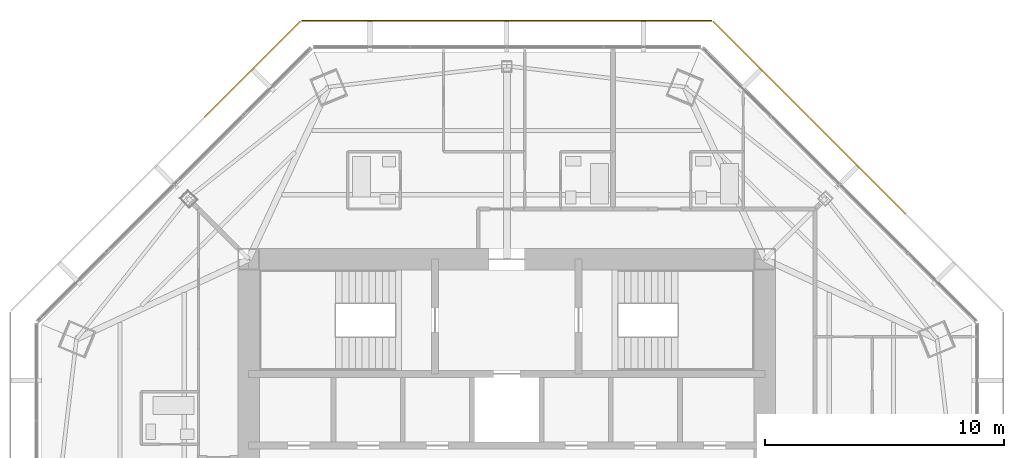
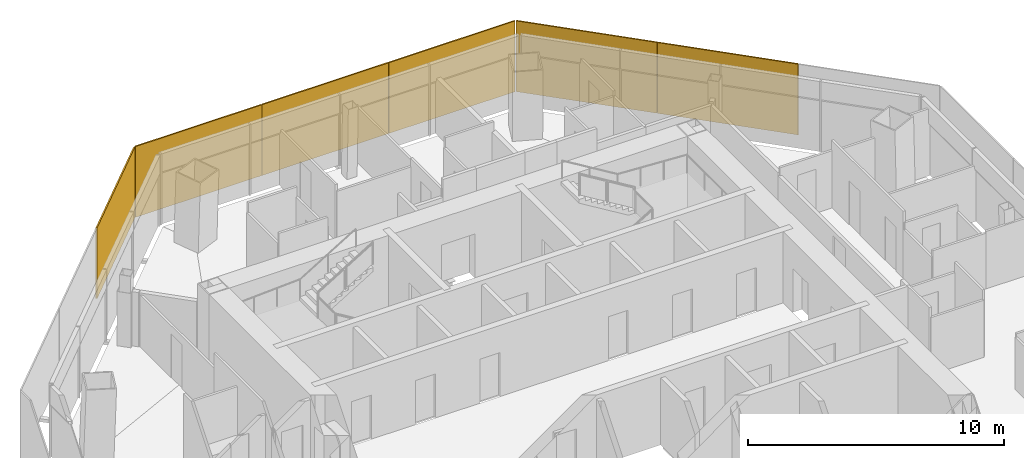
# One storey, part 14 of 15: 6 shading devices.
"""IFC4 building model written with IfcOpenShell, lengths in metres."""

from ifc_helpers import new_model, si_unit, direction, frame, origin, origin_2d, place, context, subcontext, project, spatial, rectangle, extrude, source, transform, mapped, material, layer, layer_set, type_object, type_shapes, element, save


model = new_model("IFC4")

# Units and contexts
model_context = context("Model", 3, precision=1e-05, world=origin(), true_north=direction((0.0, 1.0)))
body_context = subcontext(model_context, "Body", "Model", "MODEL_VIEW")
ifc_project = project(units=[si_unit("LENGTHUNIT", "METRE"), si_unit("AREAUNIT", "SQUARE_METRE"), si_unit("VOLUMEUNIT", "CUBIC_METRE"), si_unit("PLANEANGLEUNIT", "RADIAN"), si_unit("MASSUNIT", "GRAM", prefix="KILO")], contexts=[model_context])

# Site, building, storey
site_placement = place(None, origin())
site = spatial("IfcSite", under=ifc_project, at=site_placement, CompositionType="ELEMENT")
building_placement = place(site_placement, origin())
building = spatial("IfcBuilding", under=site, at=building_placement, Name="Mashrafa Tower", CompositionType="ELEMENT")
storey_placement = place(building_placement, frame((0.0, 0.0, 294.60009765625)))
storey = spatial("IfcBuildingStorey", under=building, at=storey_placement, Name="L72", CompositionType="ELEMENT", Elevation=294.60009765625)

# Shading devices
ifc_material = material(Name="Perforated aluminium plate, eight-point star pattern", Category="aluminium")
ifc_layer = layer(ifc_material, 0.06005859375)
ifc_layer_set = layer_set([ifc_layer], Name="Mashrabiya screen panel apartment zone 4, 22 percent open")
shading_device_type = type_object("IfcShadingDeviceType", Name="Mashrabiya screen panel apartment zone 4, 22 percent open", PredefinedType="SHUTTER", material=ifc_layer_set)
shared_shape = source(origin(), body_context, "Body", "SweptSolid", [
    extrude(rectangle(XDim=5.70361328125, YDim=0.06005859375, at=origin_2d()), origin(), (0.0, 0.0, 1.0), 3.3798828125),
])
type_shapes(shading_device_type, [shared_shape])
for number, where, z_axis, x_axis, name in (
    (1, (14.6943359375, 14.6943359375, -0.150146484375), (0.0, 0.0, 1.0), (-0.707106781187, 0.707106781187, 0.0), "Mashrabiya screen L72 north-east 2"),
    (2, (10.647216796875, 18.741455078125, -0.150146484375), (0.0, 0.0, 1.0), (-0.707106781187, 0.707106781187, 0.0), "Mashrabiya screen L72 north-east 3"),
    (3, (5.7236328125, 20.781005859375, -0.150146484375), (0.0, 0.0, 1.0), (-1.0, 0.0, 0.0), "Mashrabiya screen L72 north 1"),
    (4, (0.0, 20.781005859375, -0.150146484375), (0.0, 0.0, 1.0), (-1.0, 0.0, 0.0), "Mashrabiya screen L72 north 2"),
    (5, (-5.7236328125, 20.781005859375, -0.150146484375), (0.0, 0.0, 1.0), (-1.0, 0.0, 0.0), "Mashrabiya screen L72 north 3"),
    (6, (-10.647216796875, 18.741455078125, -0.150146484375), (0.0, 0.0, 1.0), (-0.707106781187, -0.707106781187, 0.0), "Mashrabiya screen L72 north-west 1"),
):
    element("IfcShadingDevice", number, at=place(storey_placement, frame(where, z_axis=z_axis, x_axis=x_axis)), inside=storey, type_object=shading_device_type, Name=name, PredefinedType="SHUTTER", context=body_context, shape_type="MappedRepresentation", body=[
        mapped(shared_shape, transform((0.0, 0.0, 0.0))),
    ])

save(model, "model.ifc")
